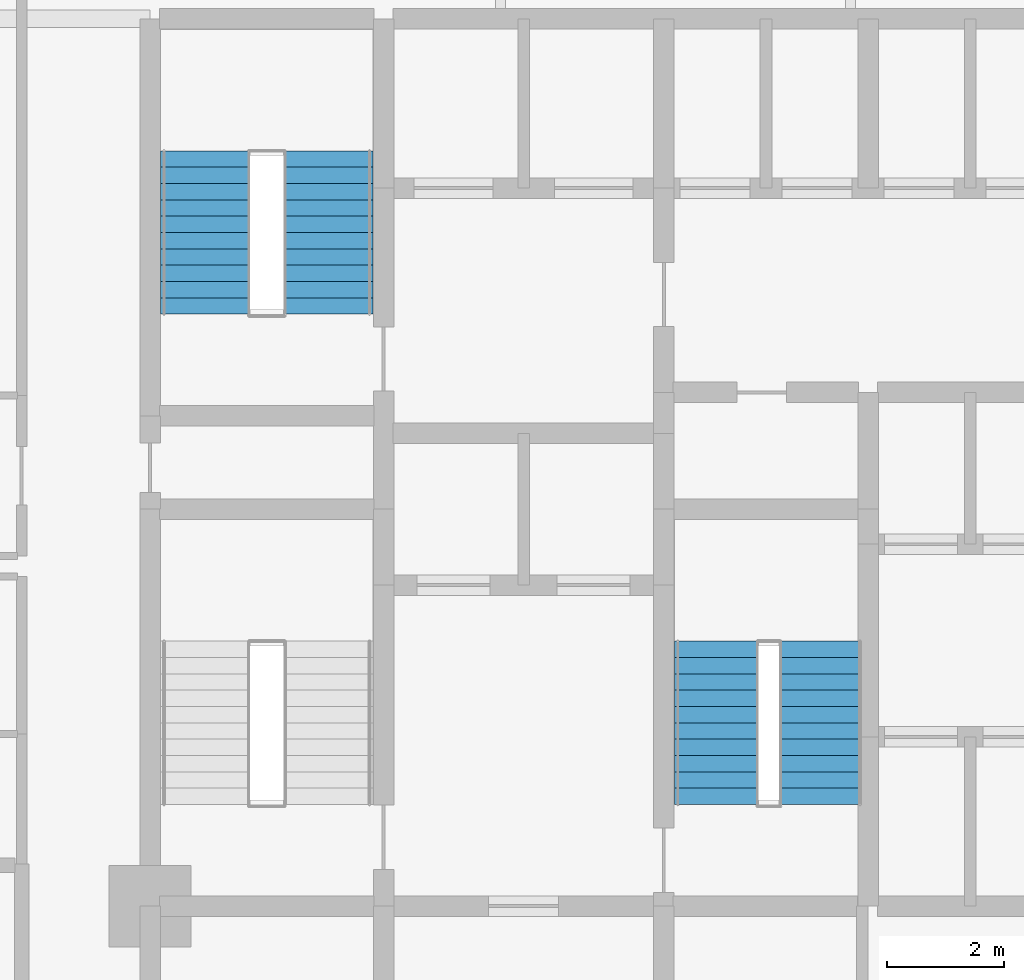
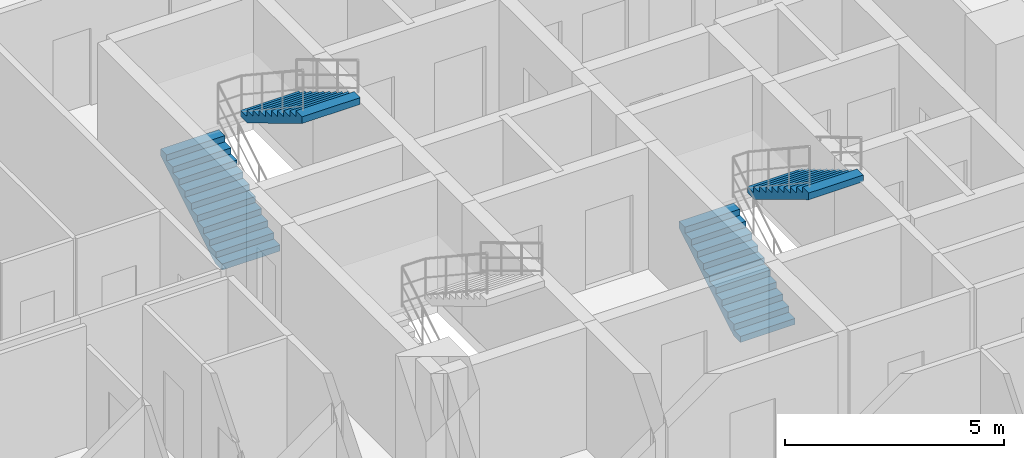
# One storey, part 32 of 33: 4 stair flights, 2 elements without a shape of their own.
"""IFC4 building model written with IfcOpenShell, lengths in metres."""

from ifc_helpers import new_model, si_unit, direction, frame, origin, place, context, subcontext, project, spatial, polyline, outline, extrude, material, type_object, element, aggregate, save


model = new_model("IFC4")

# Units and contexts
model_context = context("Model", 3, precision=1e-05, world=origin(), true_north=direction((0.0, 1.0)))
body_context = subcontext(model_context, "Body", "Model", "MODEL_VIEW")
ifc_project = project(units=[si_unit("LENGTHUNIT", "METRE"), si_unit("AREAUNIT", "SQUARE_METRE"), si_unit("VOLUMEUNIT", "CUBIC_METRE"), si_unit("PLANEANGLEUNIT", "RADIAN"), si_unit("MASSUNIT", "GRAM", prefix="KILO")], contexts=[model_context])

# Site, building, storey
site_placement = place(None, origin())
site = spatial("IfcSite", under=ifc_project, at=site_placement, CompositionType="ELEMENT")
building_placement = place(site_placement, origin())
building = spatial("IfcBuilding", under=site, at=building_placement, Name="Keshet Zoharim Tower", CompositionType="ELEMENT")
storey_placement = place(building_placement, frame((0.0, 0.0, 42.5)))
storey = spatial("IfcBuildingStorey", under=building, at=storey_placement, Name="L09", CompositionType="ELEMENT", Elevation=42.5)

# Stair, stair flights
ifc_material = material(Name="Concrete C50/60", Category="concrete")
stair_type = type_object("IfcStairType", Name="STR-EXIT-135", PredefinedType="HALF_TURN_STAIR", material=ifc_material)
stair_1_placement = place(storey_placement, origin())
stair_1 = element("IfcStair", 1, at=stair_1_placement, inside=storey, type_object=stair_type, Name="L09 Enclosed Exit Stair ST-02", PredefinedType="HALF_TURN_STAIR")
stair_flight_type_1 = type_object("IfcStairFlightType", Name="FLT-PRE-135", PredefinedType="STRAIGHT", material=ifc_material)
stair_flight_1_placement = place(storey_placement, frame((15.945068359375, 32.840087890625, 0.0), z_axis=(0.0, 0.0, 1.0), x_axis=(0.0, 1.0, 0.0)))
stair_flight_1 = element("IfcStairFlight", 2, at=stair_flight_1_placement, type_object=stair_flight_type_1, Name="ST-02 flight 1", NumberOfRisers=11, NumberOfTreads=10, PredefinedType="STRAIGHT", RiserHeight=0.168182, TreadLength=0.28, context=body_context, shape_type="SweptSolid", body=[
    extrude(outline(polyline([(0.0, 0.0), (0.0, 0.168212890625), (0.280029296875, 0.168212890625), (0.280029296875, 0.33642578125), (0.56005859375, 0.33642578125), (0.56005859375, 0.504638671875), (0.840087890625, 0.504638671875), (0.840087890625, 0.672607421875), (1.1201171875, 0.672607421875), (1.1201171875, 0.8408203125), (1.39990234375, 0.8408203125), (1.39990234375, 1.009033203125), (1.679931640625, 1.009033203125), (1.679931640625, 1.17724609375), (1.9599609375, 1.17724609375), (1.9599609375, 1.345458984375), (2.239990234375, 1.345458984375), (2.239990234375, 1.513671875), (2.52001953125, 1.513671875), (2.52001953125, 1.681884765625), (2.800048828125, 1.681884765625), (2.800048828125, 1.85009765625), (2.800048828125, 1.495361328125), (0.310546875, 0.0), (0.0, 0.0)])), frame((0.0, 0.76513671875, 0.0), z_axis=(0.0, -1.0, 0.0), x_axis=(1.0, 0.0, 0.0)), (0.0, 0.0, 1.0), 1.530029296875),
])
stair_flight_2_placement = place(storey_placement, frame((18.054931640625, 35.639892578125, 1.85009765625), z_axis=(0.0, 0.0, 1.0), x_axis=(0.0, -1.0, 0.0)))
stair_flight_2 = element("IfcStairFlight", 3, at=stair_flight_2_placement, type_object=stair_flight_type_1, Name="ST-02 flight 2", NumberOfRisers=11, NumberOfTreads=10, PredefinedType="STRAIGHT", RiserHeight=0.168182, TreadLength=0.28, context=body_context, shape_type="SweptSolid", body=[
    extrude(outline(polyline([(0.0, 0.0), (0.0, 0.168212890625), (0.280029296875, 0.168212890625), (0.280029296875, 0.33642578125), (0.56005859375, 0.33642578125), (0.56005859375, 0.504638671875), (0.840087890625, 0.504638671875), (0.840087890625, 0.672607421875), (1.1201171875, 0.672607421875), (1.1201171875, 0.8408203125), (1.39990234375, 0.8408203125), (1.39990234375, 1.009033203125), (1.679931640625, 1.009033203125), (1.679931640625, 1.17724609375), (1.9599609375, 1.17724609375), (1.9599609375, 1.345458984375), (2.239990234375, 1.345458984375), (2.239990234375, 1.513671875), (2.52001953125, 1.513671875), (2.52001953125, 1.681884765625), (2.800048828125, 1.681884765625), (2.800048828125, 1.85009765625), (2.800048828125, 1.495361328125), (0.310546875, 0.0), (0.0, 0.0)])), frame((0.0, 0.76513671875, 0.0), z_axis=(0.0, -1.0, 0.0), x_axis=(1.0, 0.0, 0.0)), (0.0, 0.0, 1.0), 1.530029296875),
])
aggregate(stair_1, [stair_flight_1, stair_flight_2])

stair_2_placement = place(storey_placement, origin())
stair_2 = element("IfcStair", 4, at=stair_2_placement, inside=storey, type_object=stair_type, Name="L09 Enclosed Exit Stair ST-03", PredefinedType="HALF_TURN_STAIR")
stair_flight_type_2 = type_object("IfcStairFlightType", Name="FLT-PRE-144", PredefinedType="STRAIGHT", material=ifc_material)
stair_flight_3_placement = place(storey_placement, frame((24.699951171875, 24.43994140625, 0.0), z_axis=(0.0, 0.0, 1.0), x_axis=(0.0, 1.0, 0.0)))
stair_flight_3 = element("IfcStairFlight", 5, at=stair_flight_3_placement, type_object=stair_flight_type_2, Name="ST-03 flight 1", NumberOfRisers=11, NumberOfTreads=10, PredefinedType="STRAIGHT", RiserHeight=0.168182, TreadLength=0.28, context=body_context, shape_type="SweptSolid", body=[
    extrude(outline(polyline([(0.0, 0.0), (0.0, 0.168212890625), (0.280029296875, 0.168212890625), (0.280029296875, 0.33642578125), (0.56005859375, 0.33642578125), (0.56005859375, 0.504638671875), (0.840087890625, 0.504638671875), (0.840087890625, 0.672607421875), (1.1201171875, 0.672607421875), (1.1201171875, 0.8408203125), (1.39990234375, 0.8408203125), (1.39990234375, 1.009033203125), (1.679931640625, 1.009033203125), (1.679931640625, 1.17724609375), (1.9599609375, 1.17724609375), (1.9599609375, 1.345458984375), (2.239990234375, 1.345458984375), (2.239990234375, 1.513671875), (2.52001953125, 1.513671875), (2.52001953125, 1.681884765625), (2.800048828125, 1.681884765625), (2.800048828125, 1.85009765625), (2.800048828125, 1.495361328125), (0.310546875, 0.0), (0.0, 0.0)])), frame((0.0, 0.719970703125, 0.0), z_axis=(0.0, -1.0, 0.0), x_axis=(1.0, 0.0, 0.0)), (0.0, 0.0, 1.0), 1.43994140625),
])
stair_flight_4_placement = place(storey_placement, frame((26.5, 27.239990234375, 1.85009765625), z_axis=(0.0, 0.0, 1.0), x_axis=(0.0, -1.0, 0.0)))
stair_flight_4 = element("IfcStairFlight", 6, at=stair_flight_4_placement, type_object=stair_flight_type_2, Name="ST-03 flight 2", NumberOfRisers=11, NumberOfTreads=10, PredefinedType="STRAIGHT", RiserHeight=0.168182, TreadLength=0.28, context=body_context, shape_type="SweptSolid", body=[
    extrude(outline(polyline([(0.0, 0.0), (0.0, 0.168212890625), (0.280029296875, 0.168212890625), (0.280029296875, 0.33642578125), (0.56005859375, 0.33642578125), (0.56005859375, 0.504638671875), (0.840087890625, 0.504638671875), (0.840087890625, 0.672607421875), (1.1201171875, 0.672607421875), (1.1201171875, 0.8408203125), (1.39990234375, 0.8408203125), (1.39990234375, 1.009033203125), (1.679931640625, 1.009033203125), (1.679931640625, 1.17724609375), (1.9599609375, 1.17724609375), (1.9599609375, 1.345458984375), (2.239990234375, 1.345458984375), (2.239990234375, 1.513671875), (2.52001953125, 1.513671875), (2.52001953125, 1.681884765625), (2.800048828125, 1.681884765625), (2.800048828125, 1.85009765625), (2.800048828125, 1.495361328125), (0.310546875, 0.0), (0.0, 0.0)])), frame((0.0, 0.719970703125, 0.0), z_axis=(0.0, -1.0, 0.0), x_axis=(1.0, 0.0, 0.0)), (0.0, 0.0, 1.0), 1.43994140625),
])
aggregate(stair_2, [stair_flight_3, stair_flight_4])

save(model, "model.ifc")
